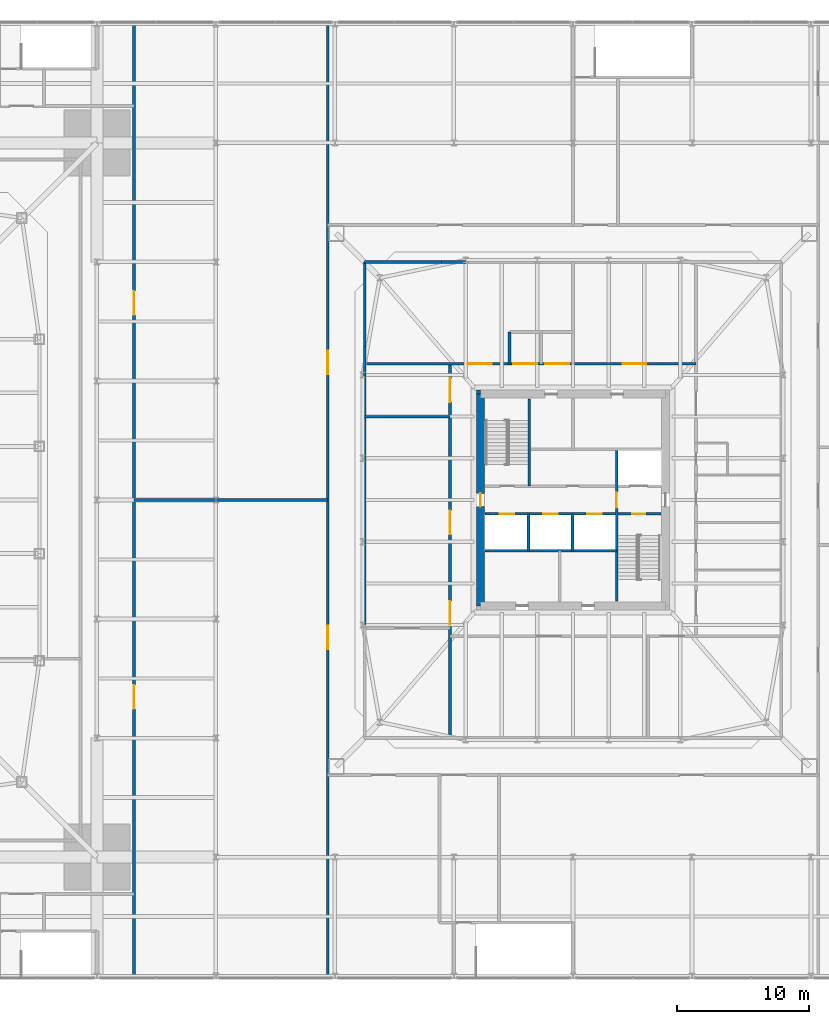
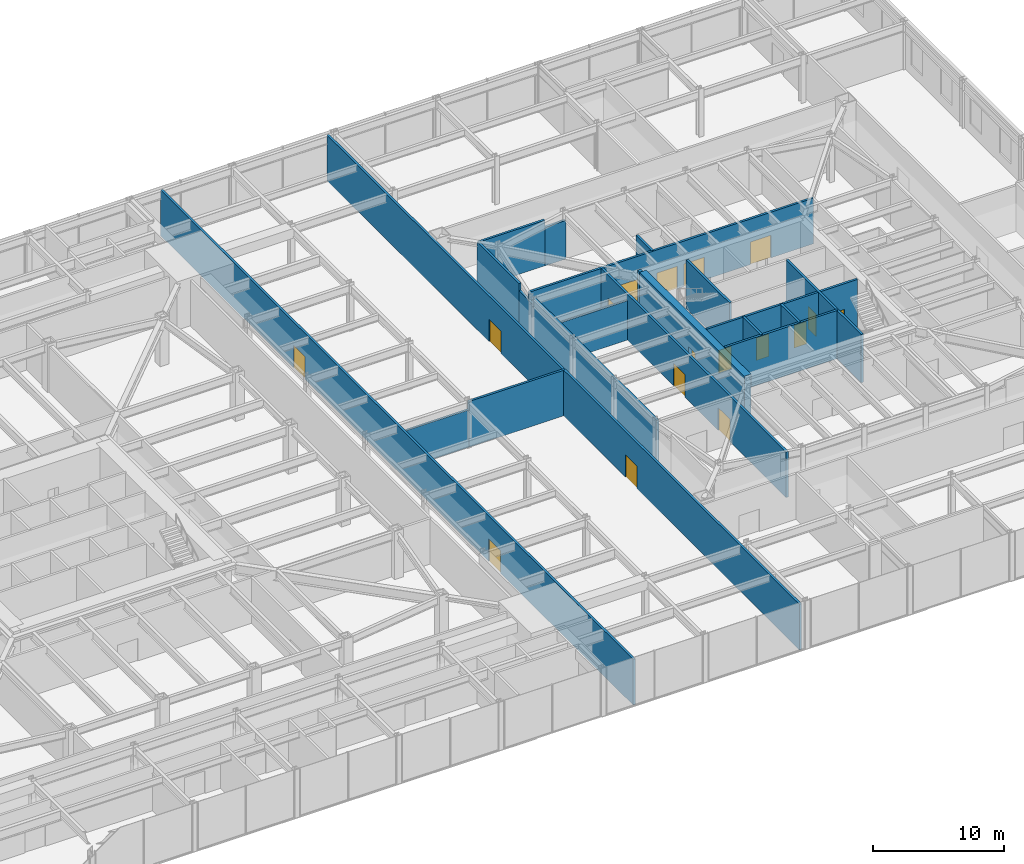
# One storey, part 24 of 30: 21 walls, 17 doors, 17 openings.
"""IFC4 building model written with IfcOpenShell, lengths in metres."""

from ifc_helpers import new_model, si_unit, direction, frame, frame_2d, origin, place, context, subcontext, project, spatial, rectangle, extrude, material, layer, layer_set, type_object, element, fill, save


model = new_model("IFC4")

# Units and contexts
model_context = context("Model", 3, precision=1e-05, world=origin(), true_north=direction((0.0, 1.0)))
body_context = subcontext(model_context, "Body", "Model", "MODEL_VIEW")
ifc_project = project(units=[si_unit("LENGTHUNIT", "METRE"), si_unit("AREAUNIT", "SQUARE_METRE"), si_unit("VOLUMEUNIT", "CUBIC_METRE"), si_unit("PLANEANGLEUNIT", "RADIAN"), si_unit("MASSUNIT", "GRAM", prefix="KILO")], contexts=[model_context])

# Site, building, storey
site_placement = place(None, origin())
site = spatial("IfcSite", under=ifc_project, at=site_placement, CompositionType="ELEMENT")
building_placement = place(site_placement, origin())
building = spatial("IfcBuilding", under=site, at=building_placement, Name="Iwan Alto Co-Living Towers", CompositionType="ELEMENT")
storey_placement = place(building_placement, frame((0.0, 0.0, 10.5)))
storey = spatial("IfcBuildingStorey", under=building, at=storey_placement, Name="L02", CompositionType="ELEMENT", Elevation=10.5)

# Walls
ifc_material_1 = material(Name="Concrete block masonry f*p 10 MPa", Category="masonry")
ifc_layer_1 = layer(ifc_material_1, 0.199951171875)
ifc_layer_set_1 = layer_set([ifc_layer_1], Name="PODIUM INTERNAL WALL 200")
wall_type_1 = type_object("IfcWallType", Name="PODIUM INTERNAL WALL 200", PredefinedType="SOLIDWALL", material=ifc_layer_set_1)
wall_1_placement = place(storey_placement, frame((29.800048828125, 0.0, 0.0), z_axis=(0.0, 0.0, 1.0), x_axis=(1.0, 0.0, 0.0)))
element("IfcWall", 1, at=wall_1_placement, inside=storey, type_object=wall_type_1, Name="Partition L02", PredefinedType="SOLIDWALL", context=body_context, shape_type="SweptSolid", body=[
    extrude(rectangle(XDim=6.199951171875, YDim=0.199951171875, at=frame_2d((3.10009765625, 0.0))), origin(), (0.0, 0.0, 1.0), 3.48046875),
])
wall_2_placement = place(storey_placement, frame((47.25, 6.300048828125, 0.0), z_axis=(0.0, 0.0, 1.0), x_axis=(1.0, 0.0, 0.0)))
element("IfcWall", 2, at=wall_2_placement, inside=storey, type_object=wall_type_1, Name="Partition L02", PredefinedType="SOLIDWALL", context=body_context, shape_type="SweptSolid", body=[
    extrude(rectangle(XDim=6.449951171875, YDim=0.199951171875, at=frame_2d((3.22509765625, 0.0))), origin(), (0.0, 0.0, 1.0), 3.662841796875),
])

# Wall, openings, doors
wall_3_placement = place(storey_placement, frame((47.25, 10.300048828125, 0.0), z_axis=(0.0, 0.0, 1.0), x_axis=(1.0, 0.0, 0.0)))
wall_3 = element("IfcWall", 3, at=wall_3_placement, inside=storey, type_object=wall_type_1, Name="Partition L02", PredefinedType="SOLIDWALL", context=body_context, shape_type="SweptSolid", body=[
    extrude(rectangle(XDim=25.050048828125, YDim=0.199951171875, at=frame_2d((12.52490234375, 0.0))), origin(), (0.0, 0.0, 1.0), 4.25),
])
opening_1_placement = place(wall_3_placement, frame((19.5, 0.0, 0.0)))
opening_1 = element("IfcOpeningElement", 4, at=opening_1_placement, cuts=wall_3, Name="Opening D9", PredefinedType="OPENING", context=body_context, shape_type="SweptSolid", body=[
    extrude(rectangle(XDim=1.800048828125, YDim=2.10009765625, at=frame_2d((0.89990234375, 1.050048828125))), frame((0.0, 0.10986328125, 0.0), z_axis=(0.0, -1.0, 0.0), x_axis=(1.0, 0.0, 0.0)), (0.0, 0.0, 1.0), 0.219970703125),
])
opening_2_placement = place(wall_3_placement, frame((13.64990234375, 0.0, 0.0)))
opening_2 = element("IfcOpeningElement", 5, at=opening_2_placement, cuts=wall_3, Name="Opening D9", PredefinedType="OPENING", context=body_context, shape_type="SweptSolid", body=[
    extrude(rectangle(XDim=1.800048828125, YDim=2.10009765625, at=frame_2d((0.89990234375, 1.050048828125))), frame((0.0, 0.10986328125, 0.0), z_axis=(0.0, -1.0, 0.0), x_axis=(1.0, 0.0, 0.0)), (0.0, 0.0, 1.0), 0.219970703125),
])
opening_3_placement = place(wall_3_placement, frame((11.25, 0.0, 0.0)))
opening_3 = element("IfcOpeningElement", 6, at=opening_3_placement, cuts=wall_3, Name="Opening D9", PredefinedType="OPENING", context=body_context, shape_type="SweptSolid", body=[
    extrude(rectangle(XDim=1.800048828125, YDim=2.10009765625, at=frame_2d((0.89990234375, 1.050048828125))), frame((0.0, 0.10986328125, 0.0), z_axis=(0.0, -1.0, 0.0), x_axis=(1.0, 0.0, 0.0)), (0.0, 0.0, 1.0), 0.219970703125),
])
opening_4_placement = place(wall_3_placement, frame((7.800048828125, 0.0, 0.0)))
opening_4 = element("IfcOpeningElement", 7, at=opening_4_placement, cuts=wall_3, Name="Opening D9", PredefinedType="OPENING", context=body_context, shape_type="SweptSolid", body=[
    extrude(rectangle(XDim=1.800048828125, YDim=2.10009765625, at=frame_2d((0.89990234375, 1.050048828125))), frame((0.0, 0.10986328125, 0.0), z_axis=(0.0, -1.0, 0.0), x_axis=(1.0, 0.0, 0.0)), (0.0, 0.0, 1.0), 0.219970703125),
])
ifc_material_2 = material(Name="Steel frame with timber leaf", Category="steel")
door_type_1 = type_object("IfcDoorType", Name="LOUNGE DOOR FD30S 1800X2100", OperationType="DOUBLE_DOOR_SINGLE_SWING", PredefinedType="DOOR", material=ifc_material_2)
door_1_placement = place(opening_1_placement, origin())
door_1 = element("IfcDoor", 8, at=door_1_placement, inside=storey, type_object=door_type_1, Name="Co-working zone door L02", OperationType="DOUBLE_DOOR_SINGLE_SWING", OverallHeight=2.10009765625, OverallWidth=1.800048828125, PredefinedType="DOOR", context=body_context, shape_type="SweptSolid", body=[
    extrude(rectangle(XDim=1.800048828125, YDim=2.10009765625, at=frame_2d((0.89990234375, 1.050048828125))), frame((0.0, 0.02490234375, 0.0), z_axis=(0.0, -1.0, 0.0), x_axis=(1.0, 0.0, 0.0)), (0.0, 0.0, 1.0), 0.050048828125),
])
fill(opening_1, door_1)
door_2_placement = place(opening_2_placement, origin())
door_2 = element("IfcDoor", 9, at=door_2_placement, inside=storey, type_object=door_type_1, Name="Phone booth door L02", OperationType="DOUBLE_DOOR_SINGLE_SWING", OverallHeight=2.10009765625, OverallWidth=1.800048828125, PredefinedType="DOOR", context=body_context, shape_type="SweptSolid", body=[
    extrude(rectangle(XDim=1.800048828125, YDim=2.10009765625, at=frame_2d((0.89990234375, 1.050048828125))), frame((0.0, 0.02490234375, 0.0), z_axis=(0.0, -1.0, 0.0), x_axis=(1.0, 0.0, 0.0)), (0.0, 0.0, 1.0), 0.050048828125),
])
fill(opening_2, door_2)
door_3_placement = place(opening_3_placement, origin())
door_3 = element("IfcDoor", 10, at=door_3_placement, inside=storey, type_object=door_type_1, Name="Phone booth door L02", OperationType="DOUBLE_DOOR_SINGLE_SWING", OverallHeight=2.10009765625, OverallWidth=1.800048828125, PredefinedType="DOOR", context=body_context, shape_type="SweptSolid", body=[
    extrude(rectangle(XDim=1.800048828125, YDim=2.10009765625, at=frame_2d((0.89990234375, 1.050048828125))), frame((0.0, 0.02490234375, 0.0), z_axis=(0.0, -1.0, 0.0), x_axis=(1.0, 0.0, 0.0)), (0.0, 0.0, 1.0), 0.050048828125),
])
fill(opening_3, door_3)
door_4_placement = place(opening_4_placement, origin())
door_4 = element("IfcDoor", 11, at=door_4_placement, inside=storey, type_object=door_type_1, Name="Training room door L02", OperationType="DOUBLE_DOOR_SINGLE_SWING", OverallHeight=2.10009765625, OverallWidth=1.800048828125, PredefinedType="DOOR", context=body_context, shape_type="SweptSolid", body=[
    extrude(rectangle(XDim=1.800048828125, YDim=2.10009765625, at=frame_2d((0.89990234375, 1.050048828125))), frame((0.0, 0.02490234375, 0.0), z_axis=(0.0, -1.0, 0.0), x_axis=(1.0, 0.0, 0.0)), (0.0, 0.0, 1.0), 0.050048828125),
])
fill(opening_4, door_4)

# Walls
wall_4_placement = place(storey_placement, frame((47.25, 18.0, 0.0), z_axis=(0.0, 0.0, 1.0), x_axis=(1.0, 0.0, 0.0)))
element("IfcWall", 12, at=wall_4_placement, inside=storey, type_object=wall_type_1, Name="Partition L02", PredefinedType="SOLIDWALL", context=body_context, shape_type="SweptSolid", body=[
    extrude(rectangle(XDim=5.823974609375, YDim=0.199951171875, at=frame_2d((2.912109375, 0.0))), origin(), (0.0, 0.0, 1.0), 4.25),
])
wall_5_placement = place(storey_placement, frame((58.199951171875, 10.300048828125, 0.0), z_axis=(0.0, 0.0, 1.0), x_axis=(0.0, 1.0, 0.0)))
element("IfcWall", 13, at=wall_5_placement, inside=storey, type_object=wall_type_1, Name="Partition L02", PredefinedType="SOLIDWALL", context=body_context, shape_type="SweptSolid", body=[
    extrude(rectangle(XDim=2.39990234375, YDim=0.199951171875, at=frame_2d((1.199951171875, 0.0))), origin(), (0.0, 0.0, 1.0), 4.25),
])

# Wall, openings, doors
wall_6_placement = place(storey_placement, frame((53.699951171875, -18.0, 0.0), z_axis=(0.0, 0.0, 1.0), x_axis=(0.0, 1.0, 0.0)))
wall_6 = element("IfcWall", 14, at=wall_6_placement, inside=storey, type_object=wall_type_1, Name="Partition L02", PredefinedType="SOLIDWALL", context=body_context, shape_type="SweptSolid", body=[
    extrude(rectangle(XDim=28.300048828125, YDim=0.199951171875, at=frame_2d((14.14990234375, 0.0))), origin(), (0.0, 0.0, 1.0), 4.25),
])
opening_5_placement = place(wall_6_placement, frame((15.39990234375, 0.0, 0.0)))
opening_5 = element("IfcOpeningElement", 15, at=opening_5_placement, cuts=wall_6, Name="Opening D9", PredefinedType="OPENING", context=body_context, shape_type="SweptSolid", body=[
    extrude(rectangle(XDim=1.800048828125, YDim=2.10009765625, at=frame_2d((0.89990234375, 1.050048828125))), frame((0.0, 0.10986328125, 0.0), z_axis=(0.0, -1.0, 0.0), x_axis=(1.0, 0.0, 0.0)), (0.0, 0.0, 1.0), 0.219970703125),
])
opening_6_placement = place(wall_6_placement, frame((25.39990234375, 0.0, 0.0)))
opening_6 = element("IfcOpeningElement", 16, at=opening_6_placement, cuts=wall_6, Name="Opening D9", PredefinedType="OPENING", context=body_context, shape_type="SweptSolid", body=[
    extrude(rectangle(XDim=1.800048828125, YDim=2.10009765625, at=frame_2d((0.89990234375, 1.050048828125))), frame((0.0, 0.10986328125, 0.0), z_axis=(0.0, -1.0, 0.0), x_axis=(1.0, 0.0, 0.0)), (0.0, 0.0, 1.0), 0.219970703125),
])
opening_7_placement = place(wall_6_placement, frame((8.550048828125, 0.0, 0.0)))
opening_7 = element("IfcOpeningElement", 17, at=opening_7_placement, cuts=wall_6, Name="Opening D9", PredefinedType="OPENING", context=body_context, shape_type="SweptSolid", body=[
    extrude(rectangle(XDim=1.800048828125, YDim=2.10009765625, at=frame_2d((0.89990234375, 1.050048828125))), frame((0.0, 0.10986328125, 0.0), z_axis=(0.0, -1.0, 0.0), x_axis=(1.0, 0.0, 0.0)), (0.0, 0.0, 1.0), 0.219970703125),
])
door_5_placement = place(opening_5_placement, origin())
door_5 = element("IfcDoor", 18, at=door_5_placement, inside=storey, type_object=door_type_1, Name="Corridor door L02", OperationType="DOUBLE_DOOR_SINGLE_SWING", OverallHeight=2.10009765625, OverallWidth=1.800048828125, PredefinedType="DOOR", context=body_context, shape_type="SweptSolid", body=[
    extrude(rectangle(XDim=1.800048828125, YDim=2.10009765625, at=frame_2d((0.89990234375, 1.050048828125))), frame((0.0, 0.02490234375, 0.0), z_axis=(0.0, -1.0, 0.0), x_axis=(1.0, 0.0, 0.0)), (0.0, 0.0, 1.0), 0.050048828125),
])
fill(opening_5, door_5)
door_6_placement = place(opening_6_placement, origin())
door_6 = element("IfcDoor", 19, at=door_6_placement, inside=storey, type_object=door_type_1, Name="Print and store room door L02", OperationType="DOUBLE_DOOR_SINGLE_SWING", OverallHeight=2.10009765625, OverallWidth=1.800048828125, PredefinedType="DOOR", context=body_context, shape_type="SweptSolid", body=[
    extrude(rectangle(XDim=1.800048828125, YDim=2.10009765625, at=frame_2d((0.89990234375, 1.050048828125))), frame((0.0, 0.02490234375, 0.0), z_axis=(0.0, -1.0, 0.0), x_axis=(1.0, 0.0, 0.0)), (0.0, 0.0, 1.0), 0.050048828125),
])
fill(opening_6, door_6)
door_7_placement = place(opening_7_placement, origin())
door_7 = element("IfcDoor", 20, at=door_7_placement, inside=storey, type_object=door_type_1, Name="Co-working zone door L02", OperationType="DOUBLE_DOOR_SINGLE_SWING", OverallHeight=2.10009765625, OverallWidth=1.800048828125, PredefinedType="DOOR", context=body_context, shape_type="SweptSolid", body=[
    extrude(rectangle(XDim=1.800048828125, YDim=2.10009765625, at=frame_2d((0.89990234375, 1.050048828125))), frame((0.0, 0.02490234375, 0.0), z_axis=(0.0, -1.0, 0.0), x_axis=(1.0, 0.0, 0.0)), (0.0, 0.0, 1.0), 0.050048828125),
])
fill(opening_7, door_7)

wall_7_placement = place(storey_placement, frame((44.449951171875, -36.050048828125, 0.0), z_axis=(0.0, 0.0, 1.0), x_axis=(0.0, 1.0, 0.0)))
wall_7 = element("IfcWall", 21, at=wall_7_placement, inside=storey, type_object=wall_type_1, Name="Partition L02", PredefinedType="SOLIDWALL", context=body_context, shape_type="SweptSolid", body=[
    extrude(rectangle(XDim=72.10009765625, YDim=0.199951171875, at=frame_2d((36.050048828125, 0.0))), origin(), (0.0, 0.0, 1.0), 4.25),
])
opening_8_placement = place(wall_7_placement, frame((24.75, 0.0, 0.0)))
opening_8 = element("IfcOpeningElement", 22, at=opening_8_placement, cuts=wall_7, Name="Opening D9", PredefinedType="OPENING", context=body_context, shape_type="SweptSolid", body=[
    extrude(rectangle(XDim=1.800048828125, YDim=2.10009765625, at=frame_2d((0.89990234375, 1.050048828125))), frame((0.0, 0.10986328125, 0.0), z_axis=(0.0, -1.0, 0.0), x_axis=(1.0, 0.0, 0.0)), (0.0, 0.0, 1.0), 0.219970703125),
])
opening_9_placement = place(wall_7_placement, frame((45.550048828125, 0.0, 0.0)))
opening_9 = element("IfcOpeningElement", 23, at=opening_9_placement, cuts=wall_7, Name="Opening D9", PredefinedType="OPENING", context=body_context, shape_type="SweptSolid", body=[
    extrude(rectangle(XDim=1.800048828125, YDim=2.10009765625, at=frame_2d((0.89990234375, 1.050048828125))), frame((0.0, 0.10986328125, 0.0), z_axis=(0.0, -1.0, 0.0), x_axis=(1.0, 0.0, 0.0)), (0.0, 0.0, 1.0), 0.219970703125),
])
door_8_placement = place(opening_8_placement, origin())
door_8 = element("IfcDoor", 24, at=door_8_placement, inside=storey, type_object=door_type_1, Name="Multipurpose hall door L02", OperationType="DOUBLE_DOOR_SINGLE_SWING", OverallHeight=2.10009765625, OverallWidth=1.800048828125, PredefinedType="DOOR", context=body_context, shape_type="SweptSolid", body=[
    extrude(rectangle(XDim=1.800048828125, YDim=2.10009765625, at=frame_2d((0.89990234375, 1.050048828125))), frame((0.0, 0.02490234375, 0.0), z_axis=(0.0, -1.0, 0.0), x_axis=(1.0, 0.0, 0.0)), (0.0, 0.0, 1.0), 0.050048828125),
])
fill(opening_8, door_8)
door_9_placement = place(opening_9_placement, origin())
door_9 = element("IfcDoor", 25, at=door_9_placement, inside=storey, type_object=door_type_1, Name="Co-working lounge door L02", OperationType="DOUBLE_DOOR_SINGLE_SWING", OverallHeight=2.10009765625, OverallWidth=1.800048828125, PredefinedType="DOOR", context=body_context, shape_type="SweptSolid", body=[
    extrude(rectangle(XDim=1.800048828125, YDim=2.10009765625, at=frame_2d((0.89990234375, 1.050048828125))), frame((0.0, 0.02490234375, 0.0), z_axis=(0.0, -1.0, 0.0), x_axis=(1.0, 0.0, 0.0)), (0.0, 0.0, 1.0), 0.050048828125),
])
fill(opening_9, door_9)

wall_8_placement = place(storey_placement, frame((29.800048828125, -36.050048828125, 0.0), z_axis=(0.0, 0.0, 1.0), x_axis=(0.0, 1.0, 0.0)))
wall_8 = element("IfcWall", 26, at=wall_8_placement, inside=storey, type_object=wall_type_1, Name="Partition L02", PredefinedType="SOLIDWALL", context=body_context, shape_type="SweptSolid", body=[
    extrude(rectangle(XDim=72.10009765625, YDim=0.199951171875, at=frame_2d((36.050048828125, 0.0))), origin(), (0.0, 0.0, 1.0), 4.25),
])
opening_10_placement = place(wall_8_placement, frame((20.25, 0.0, 0.0)))
opening_10 = element("IfcOpeningElement", 27, at=opening_10_placement, cuts=wall_8, Name="Opening D9", PredefinedType="OPENING", context=body_context, shape_type="SweptSolid", body=[
    extrude(rectangle(XDim=1.800048828125, YDim=2.10009765625, at=frame_2d((0.89990234375, 1.050048828125))), frame((0.0, 0.10986328125, 0.0), z_axis=(0.0, -1.0, 0.0), x_axis=(1.0, 0.0, 0.0)), (0.0, 0.0, 1.0), 0.219970703125),
])
opening_11_placement = place(wall_8_placement, frame((50.050048828125, 0.0, 0.0)))
opening_11 = element("IfcOpeningElement", 28, at=opening_11_placement, cuts=wall_8, Name="Opening D9", PredefinedType="OPENING", context=body_context, shape_type="SweptSolid", body=[
    extrude(rectangle(XDim=1.800048828125, YDim=2.10009765625, at=frame_2d((0.89990234375, 1.050048828125))), frame((0.0, 0.10986328125, 0.0), z_axis=(0.0, -1.0, 0.0), x_axis=(1.0, 0.0, 0.0)), (0.0, 0.0, 1.0), 0.219970703125),
])
door_10_placement = place(opening_10_placement, frame((1.800048828125, 0.0, 0.0), z_axis=(0.0, 0.0, 1.0), x_axis=(-1.0, 0.0, 0.0)))
door_10 = element("IfcDoor", 29, at=door_10_placement, inside=storey, type_object=door_type_1, Name="Multipurpose hall door L02", OperationType="DOUBLE_DOOR_SINGLE_SWING", OverallHeight=2.10009765625, OverallWidth=1.800048828125, PredefinedType="DOOR", context=body_context, shape_type="SweptSolid", body=[
    extrude(rectangle(XDim=1.800048828125, YDim=2.10009765625, at=frame_2d((0.89990234375, 1.050048828125))), frame((0.0, 0.02490234375, 0.0), z_axis=(0.0, -1.0, 0.0), x_axis=(1.0, 0.0, 0.0)), (0.0, 0.0, 1.0), 0.050048828125),
])
fill(opening_10, door_10)
door_11_placement = place(opening_11_placement, frame((1.800048828125, 0.0, 0.0), z_axis=(0.0, 0.0, 1.0), x_axis=(-1.0, 0.0, 0.0)))
door_11 = element("IfcDoor", 30, at=door_11_placement, inside=storey, type_object=door_type_1, Name="Co-working lounge door L02", OperationType="DOUBLE_DOOR_SINGLE_SWING", OverallHeight=2.10009765625, OverallWidth=1.800048828125, PredefinedType="DOOR", context=body_context, shape_type="SweptSolid", body=[
    extrude(rectangle(XDim=1.800048828125, YDim=2.10009765625, at=frame_2d((0.89990234375, 1.050048828125))), frame((0.0, 0.02490234375, 0.0), z_axis=(0.0, -1.0, 0.0), x_axis=(1.0, 0.0, 0.0)), (0.0, 0.0, 1.0), 0.050048828125),
])
fill(opening_11, door_11)

# Walls
wall_9_placement = place(storey_placement, frame((36.0, 0.0, 0.0), z_axis=(0.0, 0.0, 1.0), x_axis=(1.0, 0.0, 0.0)))
element("IfcWall", 31, at=wall_9_placement, inside=storey, type_object=wall_type_1, Name="Partition L02", PredefinedType="SOLIDWALL", context=body_context, shape_type="SweptSolid", body=[
    extrude(rectangle(XDim=8.449951171875, YDim=0.199951171875, at=frame_2d((4.22509765625, 0.0))), origin(), (0.0, 0.0, 1.0), 4.25),
])
wall_10_placement = place(storey_placement, frame((53.073974609375, 18.0, 0.0), z_axis=(0.0, 0.0, 1.0), x_axis=(1.0, 0.0, 0.0)))
element("IfcWall", 32, at=wall_10_placement, inside=storey, type_object=wall_type_1, Name="Partition L02", PredefinedType="SOLIDWALL", context=body_context, shape_type="SweptSolid", body=[
    extrude(rectangle(XDim=1.85205078125, YDim=0.199951171875, at=frame_2d((0.926025390625, 0.0))), origin(), (0.0, 0.0, 1.0), 3.586669921875),
])
wall_11_placement = place(storey_placement, frame((47.25, -9.427978515625, 0.0), z_axis=(0.0, 0.0, 1.0), x_axis=(0.0, 1.0, 0.0)))
element("IfcWall", 33, at=wall_11_placement, inside=storey, type_object=wall_type_1, Name="Partition L02", PredefinedType="SOLIDWALL", context=body_context, shape_type="SweptSolid", body=[
    extrude(rectangle(XDim=18.85595703125, YDim=0.199951171875, at=frame_2d((9.427978515625, 0.0))), origin(), (0.0, 0.0, 1.0), 4.25),
])
wall_12_placement = place(storey_placement, frame((47.25, 9.427978515625, 0.0), z_axis=(0.0, 0.0, 1.0), x_axis=(0.0, 1.0, 0.0)))
element("IfcWall", 34, at=wall_12_placement, inside=storey, type_object=wall_type_1, Name="Partition L02", PredefinedType="SOLIDWALL", context=body_context, shape_type="SweptSolid", body=[
    extrude(rectangle(XDim=2.174072265625, YDim=0.199951171875, at=frame_2d((1.0869140625, 0.0))), origin(), (0.0, 0.0, 1.0), 3.586669921875),
])
wall_13_placement = place(storey_placement, frame((47.25, 11.60205078125, 0.0), z_axis=(0.0, 0.0, 1.0), x_axis=(0.0, 1.0, 0.0)))
element("IfcWall", 35, at=wall_13_placement, inside=storey, type_object=wall_type_1, Name="Partition L02", PredefinedType="SOLIDWALL", context=body_context, shape_type="SweptSolid", body=[
    extrude(rectangle(XDim=6.39794921875, YDim=0.199951171875, at=frame_2d((3.198974609375, 0.0))), origin(), (0.0, 0.0, 1.0), 4.25),
])
ifc_material_3 = material(Name="Concrete f'c 70 MPa", Category="concrete")
ifc_layer_2 = layer(ifc_material_3, 0.199951171875)
ifc_layer_set_2 = layer_set([ifc_layer_2], Name="SHAFT WALL 200")
wall_type_2 = type_object("IfcWallType", Name="SHAFT WALL 200", PredefinedType="SOLIDWALL", material=ifc_layer_set_2)
wall_14_placement = place(storey_placement, frame((56.360107421875, -3.85009765625, 0.0), z_axis=(0.0, 0.0, 1.0), x_axis=(1.0, 0.0, 0.0)))
element("IfcWall", 36, at=wall_14_placement, inside=storey, type_object=wall_type_2, Name="Shaft wall L02", PredefinedType="SOLIDWALL", context=body_context, shape_type="SweptSolid", body=[
    extrude(rectangle(XDim=9.93994140625, YDim=0.199951171875, at=frame_2d((4.969970703125, 0.0))), origin(), (0.0, 0.0, 1.0), 4.5),
])

# Wall, openings, doors
wall_15_placement = place(storey_placement, frame((56.360107421875, -1.050048828125, 0.0), z_axis=(0.0, 0.0, 1.0), x_axis=(1.0, 0.0, 0.0)))
wall_15 = element("IfcWall", 37, at=wall_15_placement, inside=storey, type_object=wall_type_2, Name="Shaft wall L02", PredefinedType="SOLIDWALL", context=body_context, shape_type="SweptSolid", body=[
    extrude(rectangle(XDim=13.27978515625, YDim=0.199951171875, at=frame_2d((6.639892578125, 0.0))), origin(), (0.0, 0.0, 1.0), 4.5),
])
opening_12_placement = place(wall_15_placement, frame((11.110107421875, 0.0, 0.0)))
opening_12 = element("IfcOpeningElement", 38, at=opening_12_placement, cuts=wall_15, Name="Opening D5", PredefinedType="OPENING", context=body_context, shape_type="SweptSolid", body=[
    extrude(rectangle(XDim=1.0, YDim=2.10009765625, at=frame_2d((0.5, 1.050048828125))), frame((0.0, 0.10986328125, 0.0), z_axis=(0.0, -1.0, 0.0), x_axis=(1.0, 0.0, 0.0)), (0.0, 0.0, 1.0), 0.219970703125),
])
opening_13_placement = place(wall_15_placement, frame((1.0869140625, 0.0, 0.0)))
opening_13 = element("IfcOpeningElement", 39, at=opening_13_placement, cuts=wall_15, Name="Opening LD", PredefinedType="OPENING", context=body_context, shape_type="SweptSolid", body=[
    extrude(rectangle(XDim=1.10009765625, YDim=2.10009765625, at=frame_2d((0.550048828125, 1.050048828125))), frame((0.0, 0.10986328125, 0.0), z_axis=(0.0, -1.0, 0.0), x_axis=(1.0, 0.0, 0.0)), (0.0, 0.0, 1.0), 0.219970703125),
])
opening_14_placement = place(wall_15_placement, frame((4.389892578125, 0.0, 0.0)))
opening_14 = element("IfcOpeningElement", 40, at=opening_14_placement, cuts=wall_15, Name="Opening LD", PredefinedType="OPENING", context=body_context, shape_type="SweptSolid", body=[
    extrude(rectangle(XDim=1.10009765625, YDim=2.10009765625, at=frame_2d((0.550048828125, 1.050048828125))), frame((0.0, 0.10986328125, 0.0), z_axis=(0.0, -1.0, 0.0), x_axis=(1.0, 0.0, 0.0)), (0.0, 0.0, 1.0), 0.219970703125),
])
opening_15_placement = place(wall_15_placement, frame((7.72412109375, 0.0, 0.0)))
opening_15 = element("IfcOpeningElement", 41, at=opening_15_placement, cuts=wall_15, Name="Opening LD", PredefinedType="OPENING", context=body_context, shape_type="SweptSolid", body=[
    extrude(rectangle(XDim=1.10009765625, YDim=2.10009765625, at=frame_2d((0.550048828125, 1.050048828125))), frame((0.0, 0.10986328125, 0.0), z_axis=(0.0, -1.0, 0.0), x_axis=(1.0, 0.0, 0.0)), (0.0, 0.0, 1.0), 0.219970703125),
])
ifc_material_4 = material(Name="Steel frame with timber leaf", Category="steel")
door_type_2 = type_object("IfcDoorType", Name="LIFT LANDING DOOR 1100X2100", OperationType="DOUBLE_DOOR_SLIDING", PredefinedType="DOOR", material=ifc_material_4)
door_12_placement = place(opening_13_placement, origin())
door_12 = element("IfcDoor", 42, at=door_12_placement, inside=storey, type_object=door_type_2, Name="Lift P5-1 landing door L02", OperationType="DOUBLE_DOOR_SLIDING", OverallHeight=2.10009765625, OverallWidth=1.10009765625, PredefinedType="DOOR", context=body_context, shape_type="SweptSolid", body=[
    extrude(rectangle(XDim=1.10009765625, YDim=2.10009765625, at=frame_2d((0.550048828125, 1.050048828125))), frame((0.0, 0.02490234375, 0.0), z_axis=(0.0, -1.0, 0.0), x_axis=(1.0, 0.0, 0.0)), (0.0, 0.0, 1.0), 0.050048828125),
])
fill(opening_13, door_12)
door_13_placement = place(opening_14_placement, origin())
door_13 = element("IfcDoor", 43, at=door_13_placement, inside=storey, type_object=door_type_2, Name="Lift P5-2 landing door L02", OperationType="DOUBLE_DOOR_SLIDING", OverallHeight=2.10009765625, OverallWidth=1.10009765625, PredefinedType="DOOR", context=body_context, shape_type="SweptSolid", body=[
    extrude(rectangle(XDim=1.10009765625, YDim=2.10009765625, at=frame_2d((0.550048828125, 1.050048828125))), frame((0.0, 0.02490234375, 0.0), z_axis=(0.0, -1.0, 0.0), x_axis=(1.0, 0.0, 0.0)), (0.0, 0.0, 1.0), 0.050048828125),
])
fill(opening_14, door_13)
door_14_placement = place(opening_15_placement, origin())
door_14 = element("IfcDoor", 44, at=door_14_placement, inside=storey, type_object=door_type_2, Name="Lift P6-3 landing door L02", OperationType="DOUBLE_DOOR_SLIDING", OverallHeight=2.10009765625, OverallWidth=1.10009765625, PredefinedType="DOOR", context=body_context, shape_type="SweptSolid", body=[
    extrude(rectangle(XDim=1.10009765625, YDim=2.10009765625, at=frame_2d((0.550048828125, 1.050048828125))), frame((0.0, 0.02490234375, 0.0), z_axis=(0.0, -1.0, 0.0), x_axis=(1.0, 0.0, 0.0)), (0.0, 0.0, 1.0), 0.050048828125),
])
fill(opening_15, door_14)
ifc_material_5 = material(Name="Steel frame with timber leaf", Category="steel")
door_type_3 = type_object("IfcDoorType", Name="STAIR DOOR FD120S 1000X2100", OperationType="SINGLE_SWING_LEFT", PredefinedType="DOOR", material=ifc_material_5)
door_15_placement = place(opening_12_placement, frame((1.0, 0.0, 0.0), z_axis=(0.0, 0.0, 1.0), x_axis=(-1.0, 0.0, 0.0)))
door_15 = element("IfcDoor", 45, at=door_15_placement, inside=storey, type_object=door_type_3, Name="Stair S2 door L02", OperationType="SINGLE_SWING_RIGHT", OverallHeight=2.10009765625, OverallWidth=1.0, PredefinedType="DOOR", context=body_context, shape_type="SweptSolid", body=[
    extrude(rectangle(XDim=1.0, YDim=2.10009765625, at=frame_2d((0.5, 1.050048828125))), frame((0.0, 0.02490234375, 0.0), z_axis=(0.0, -1.0, 0.0), x_axis=(1.0, 0.0, 0.0)), (0.0, 0.0, 1.0), 0.050048828125),
])
fill(opening_12, door_15)

# Wall, opening, door
wall_16_placement = place(storey_placement, frame((66.300048828125, -7.639892578125, 0.0), z_axis=(0.0, 0.0, 1.0), x_axis=(0.0, 1.0, 0.0)))
wall_16 = element("IfcWall", 46, at=wall_16_placement, inside=storey, type_object=wall_type_2, Name="Shaft wall L02", PredefinedType="SOLIDWALL", context=body_context, shape_type="SweptSolid", body=[
    extrude(rectangle(XDim=11.489990234375, YDim=0.199951171875, at=frame_2d((5.7451171875, 0.0))), origin(), (0.0, 0.0, 1.0), 4.5),
])
opening_16_placement = place(wall_16_placement, frame((7.0400390625, 0.0, 0.0)))
opening_16 = element("IfcOpeningElement", 47, at=opening_16_placement, cuts=wall_16, Name="Opening D6", PredefinedType="OPENING", context=body_context, shape_type="SweptSolid", body=[
    extrude(rectangle(XDim=1.199951171875, YDim=2.10009765625, at=frame_2d((0.60009765625, 1.050048828125))), frame((0.0, 0.10986328125, 0.0), z_axis=(0.0, -1.0, 0.0), x_axis=(1.0, 0.0, 0.0)), (0.0, 0.0, 1.0), 0.219970703125),
])
ifc_material_6 = material(Name="Steel frame with timber leaf", Category="steel")
door_type_4 = type_object("IfcDoorType", Name="LOBBY DOOR FD120S 1200X2100", OperationType="SINGLE_SWING_LEFT", PredefinedType="DOOR", material=ifc_material_6)
door_16_placement = place(opening_16_placement, frame((1.199951171875, 0.0, 0.0), z_axis=(0.0, 0.0, 1.0), x_axis=(-1.0, 0.0, 0.0)))
door_16 = element("IfcDoor", 48, at=door_16_placement, inside=storey, type_object=door_type_4, Name="Firefighting lobby door L02", OperationType="SINGLE_SWING_RIGHT", OverallHeight=2.10009765625, OverallWidth=1.199951171875, PredefinedType="DOOR", context=body_context, shape_type="SweptSolid", body=[
    extrude(rectangle(XDim=1.199951171875, YDim=2.10009765625, at=frame_2d((0.60009765625, 1.050048828125))), frame((0.0, 0.02490234375, 0.0), z_axis=(0.0, -1.0, 0.0), x_axis=(1.0, 0.0, 0.0)), (0.0, 0.0, 1.0), 0.050048828125),
])
fill(opening_16, door_16)

# Walls
wall_17_placement = place(storey_placement, frame((62.967041015625, -3.85009765625, 0.0), z_axis=(0.0, 0.0, 1.0), x_axis=(0.0, 1.0, 0.0)))
element("IfcWall", 49, at=wall_17_placement, inside=storey, type_object=wall_type_2, Name="Shaft wall L02", PredefinedType="SOLIDWALL", context=body_context, shape_type="SweptSolid", body=[
    extrude(rectangle(XDim=2.800048828125, YDim=0.199951171875, at=frame_2d((1.39990234375, 0.0))), origin(), (0.0, 0.0, 1.0), 4.5),
])
wall_18_placement = place(storey_placement, frame((59.699951171875, 1.050048828125, 0.0), z_axis=(0.0, 0.0, 1.0), x_axis=(0.0, 1.0, 0.0)))
element("IfcWall", 50, at=wall_18_placement, inside=storey, type_object=wall_type_2, Name="Shaft wall L02", PredefinedType="SOLIDWALL", context=body_context, shape_type="SweptSolid", body=[
    extrude(rectangle(XDim=6.58984375, YDim=0.199951171875, at=frame_2d((3.294921875, 0.0))), origin(), (0.0, 0.0, 1.0), 4.5),
])
wall_19_placement = place(storey_placement, frame((59.633056640625, -3.85009765625, 0.0), z_axis=(0.0, 0.0, 1.0), x_axis=(0.0, 1.0, 0.0)))
element("IfcWall", 51, at=wall_19_placement, inside=storey, type_object=wall_type_2, Name="Shaft wall L02", PredefinedType="SOLIDWALL", context=body_context, shape_type="SweptSolid", body=[
    extrude(rectangle(XDim=2.800048828125, YDim=0.199951171875, at=frame_2d((1.39990234375, 0.0))), origin(), (0.0, 0.0, 1.0), 4.5),
])
ifc_material_7 = material(Name="Concrete f'c 70 MPa", Category="concrete")
ifc_layer_3 = layer(ifc_material_7, 0.300048828125)
ifc_layer_set_3 = layer_set([ifc_layer_3], Name="T2 CORE CORNER FILL 300")
wall_type_3 = type_object("IfcWallType", Name="T2 CORE CORNER FILL 300", PredefinedType="SOLIDWALL", material=ifc_layer_set_3)
wall_20_placement = place(storey_placement, frame((55.699951171875, 8.14990234375, 0.0), z_axis=(0.0, 0.0, 1.0), x_axis=(1.0, 0.0, 0.0)))
element("IfcWall", 52, at=wall_20_placement, inside=storey, type_object=wall_type_3, Name="T2 core corner NW L02", PredefinedType="SOLIDWALL", context=body_context, shape_type="SweptSolid", body=[
    extrude(rectangle(XDim=0.300048828125, YDim=0.300048828125, at=frame_2d((0.14990234375, 0.0))), origin(), (0.0, 0.0, 1.0), 4.5),
])

# Wall, opening, door
ifc_material_8 = material(Name="Concrete f'c 70 MPa", Category="concrete")
ifc_layer_4 = layer(ifc_material_8, 0.60009765625)
ifc_layer_set_4 = layer_set([ifc_layer_4], Name="T2 CORE WALL 600")
wall_type_4 = type_object("IfcWallType", Name="T2 CORE WALL 600", PredefinedType="SHEAR", material=ifc_layer_set_4)
wall_21_placement = place(storey_placement, frame((56.0, 8.0, 0.0), z_axis=(0.0, 0.0, 1.0), x_axis=(0.0, -1.0, 0.0)))
wall_21 = element("IfcWall", 53, at=wall_21_placement, inside=storey, type_object=wall_type_4, Name="T2 core wall W L02", PredefinedType="SHEAR", context=body_context, shape_type="SweptSolid", body=[
    extrude(rectangle(XDim=16.0, YDim=0.60009765625, at=frame_2d((8.0, 0.0))), origin(), (0.0, 0.0, 1.0), 4.5),
])
opening_17_placement = place(wall_21_placement, frame((7.5, 0.0, 0.0)))
opening_17 = element("IfcOpeningElement", 54, at=opening_17_placement, cuts=wall_21, Name="Opening D7", PredefinedType="OPENING", context=body_context, shape_type="SweptSolid", body=[
    extrude(rectangle(XDim=1.0, YDim=2.10009765625, at=frame_2d((0.5, 1.050048828125))), frame((0.0, 0.31005859375, 0.0), z_axis=(0.0, -1.0, 0.0), x_axis=(1.0, 0.0, 0.0)), (0.0, 0.0, 1.0), 0.6201171875),
])
ifc_material_9 = material(Name="Steel frame with timber leaf", Category="steel")
door_type_5 = type_object("IfcDoorType", Name="CORE DOOR FD120S 1000X2100", OperationType="SINGLE_SWING_LEFT", PredefinedType="DOOR", material=ifc_material_9)
door_17_placement = place(opening_17_placement, origin())
door_17 = element("IfcDoor", 55, at=door_17_placement, inside=storey, type_object=door_type_5, Name="Lift lobby core door L02", OperationType="SINGLE_SWING_RIGHT", OverallHeight=2.10009765625, OverallWidth=1.0, PredefinedType="DOOR", context=body_context, shape_type="SweptSolid", body=[
    extrude(rectangle(XDim=1.0, YDim=2.10009765625, at=frame_2d((0.5, 1.050048828125))), frame((0.0, 0.02490234375, 0.0), z_axis=(0.0, -1.0, 0.0), x_axis=(1.0, 0.0, 0.0)), (0.0, 0.0, 1.0), 0.050048828125),
])
fill(opening_17, door_17)

save(model, "model.ifc")
